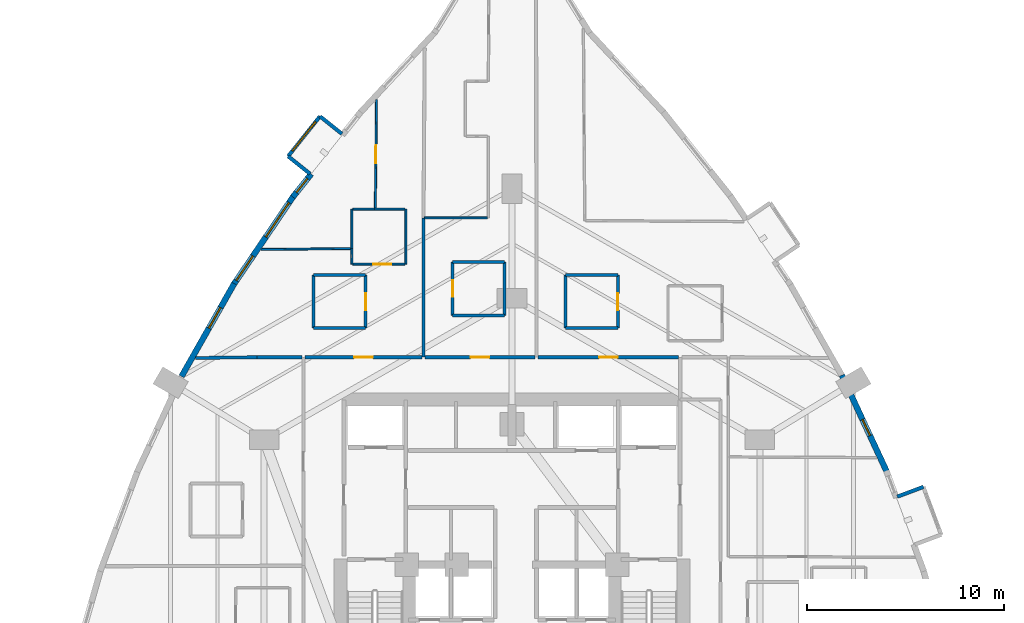
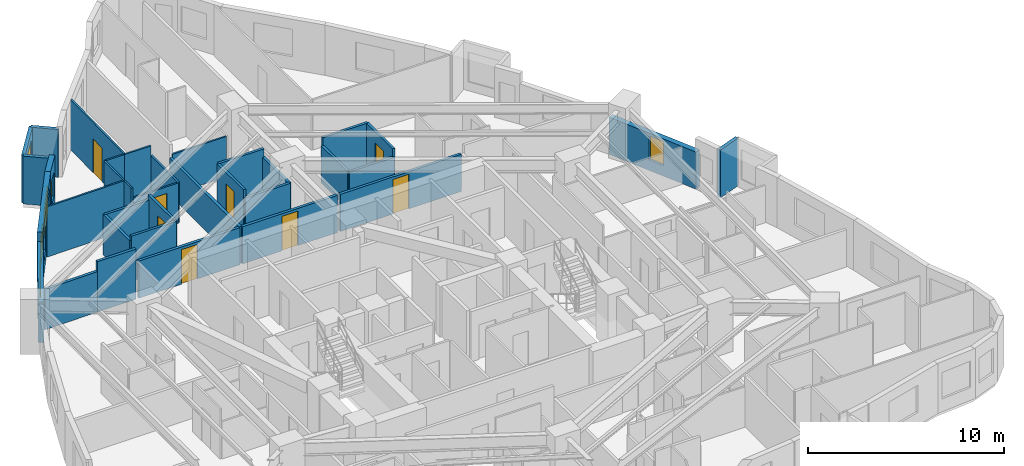
# One storey, part 13 of 16: 35 walls, 8 doors, 6 windows, 14 openings.
"""IFC4 building model written with IfcOpenShell, lengths in metres."""

import ifcopenshell
import ifcopenshell.guid

model = None  # the IFC model being written
_history = None  # IfcOwnerHistory: only IFC2X3 demands one
_inside = {}  # id of a spatial element -> (the spatial element, [elements in it])
_under = {}  # id of a project, library or spatial element -> (it, [spatial elements below it])
_declared = {}  # id of a project -> (the project, [libraries it declares])
_typed = {}  # id of a type object -> (the type object, [elements of that type])
_made_of = {}  # id of a material, layer set ... -> (it, [elements and type objects made of it])


def new_model(schema):
    """Start an empty IFC model of exactly this schema.

    Asked for "IFC4X3", IfcOpenShell would pick the latest addendum, in which some entities
    have other attributes; the version numbers below select the first issue.
    IFC2X3 requires an IfcOwnerHistory on every rooted entity: one is made here for all.
    """
    global model, _history
    if schema == "IFC4X3":
        model = ifcopenshell.file(schema_version=(4, 3, 0, 0))
    else:
        model = ifcopenshell.file(schema=schema)
    _inside.clear()
    _under.clear()
    _declared.clear()
    _typed.clear()
    _made_of.clear()
    _history = None
    if model.schema == "IFC2X3":
        org = make("IfcOrganization", Name="unknown")
        user = make(
            "IfcPersonAndOrganization",
            ThePerson=make("IfcPerson", FamilyName="unknown"),
            TheOrganization=org,
        )
        app = make(
            "IfcApplication",
            ApplicationDeveloper=org,
            Version="unknown",
            ApplicationFullName="unknown",
            ApplicationIdentifier="unknown",
        )
        _history = make(
            "IfcOwnerHistory",
            OwningUser=user,
            OwningApplication=app,
            ChangeAction="ADDED",
            CreationDate=0,
        )
    return model


def make(cls, **values):
    """One entity of the class cls with the attributes given. An attribute that is None is left unset."""
    return model.create_entity(
        cls, **{name: value for name, value in values.items() if value is not None}
    )


def rooted(cls, **values):
    """An entity with a GlobalId (a new one), such as an element, a storey or a relation."""
    return make(cls, GlobalId=ifcopenshell.guid.new(), OwnerHistory=_history, **values)


def si_unit(unit_type, name, prefix=None):
    """IfcSIUnit, for example si_unit("LENGTHUNIT", "METRE", prefix="MILLI")."""
    return make("IfcSIUnit", UnitType=unit_type, Prefix=prefix, Name=name)


def assignment(units):
    """IfcUnitAssignment: the units of a project."""
    return None if units is None else make("IfcUnitAssignment", Units=units)


def point(xyz):
    """IfcCartesianPoint."""
    return None if xyz is None else make("IfcCartesianPoint", Coordinates=xyz)


def direction(xyz):
    """IfcDirection."""
    return None if xyz is None else make("IfcDirection", DirectionRatios=xyz)


def frame(location, z_axis=None, x_axis=None):
    """IfcAxis2Placement3D, a coordinate frame: its origin and axes. An axis left out is left unset."""
    return make(
        "IfcAxis2Placement3D",
        Location=point(location),
        Axis=direction(z_axis),
        RefDirection=direction(x_axis),
    )


def frame_2d(location, x_axis=None):
    """IfcAxis2Placement2D, a coordinate frame in the plane: its origin and x axis."""
    return make(
        "IfcAxis2Placement2D", Location=point(location), RefDirection=direction(x_axis)
    )


def origin():
    """The frame at (0, 0, 0) with its axes left unset."""
    return frame((0.0, 0.0, 0.0))


def place(relative_to, where):
    """IfcLocalPlacement: puts the frame where relative to a parent placement (None: the world)."""
    return make(
        "IfcLocalPlacement", PlacementRelTo=relative_to, RelativePlacement=where
    )


def context(
    kind, dimensions, precision=None, world=None, true_north=None, identifier=None
):
    """IfcGeometricRepresentationContext, for example the 3D "Model" context."""
    return make(
        "IfcGeometricRepresentationContext",
        ContextIdentifier=identifier,
        ContextType=kind,
        CoordinateSpaceDimension=dimensions,
        Precision=precision,
        WorldCoordinateSystem=world,
        TrueNorth=true_north,
    )


def subcontext(parent, identifier, kind, view, scale=None):
    """IfcGeometricRepresentationSubContext, for example "Body" below "Model"."""
    return make(
        "IfcGeometricRepresentationSubContext",
        ContextIdentifier=identifier,
        ContextType=kind,
        ParentContext=parent,
        TargetScale=scale,
        TargetView=view,
    )


def project(units=None, contexts=None):
    """IfcProject with its units and contexts."""
    return rooted(
        "IfcProject",
        Name="project",
        RepresentationContexts=contexts,
        UnitsInContext=assignment(units),
    )


def spatial(cls, under=None, at=None, **own):
    """A site, building, storey or space (cls), placed at a placement, below another one or the project."""
    s = rooted(cls, ObjectPlacement=at, **own)
    if under is not None:
        _under.setdefault(under.id(), (under, []))[1].append(s)
    return s


def profile(cls, at=None, kind="AREA", **sizes):
    """A parametric profile (cls). Its sizes go by their IFC names, for example OverallWidth=200.0."""
    return make(cls, ProfileType=kind, Position=at, **sizes)


def rectangle(**sizes):
    """IfcRectangleProfileDef."""
    return profile("IfcRectangleProfileDef", **sizes)


def extrude(swept, where, along, depth):
    """IfcExtrudedAreaSolid: the profile swept, set in the frame where, extruded along a direction by depth."""
    return make(
        "IfcExtrudedAreaSolid",
        SweptArea=swept,
        Position=where,
        ExtrudedDirection=direction(along),
        Depth=depth,
    )


def shape(context_of_items, identifier, shape_type, items):
    """IfcShapeRepresentation: the items that make up one representation, for example the "Body"."""
    return make(
        "IfcShapeRepresentation",
        ContextOfItems=context_of_items,
        RepresentationIdentifier=identifier,
        RepresentationType=shape_type,
        Items=items,
    )


def material(Name=None, Category=None):
    """IfcMaterial."""
    return make("IfcMaterial", Name=Name, Category=Category)


def layer(
    of_material, thickness, ventilated=None, Name=None, Category=None, Priority=None
):
    """IfcMaterialLayer: one layer of a wall or slab, of a material (None: an air gap)."""
    return make(
        "IfcMaterialLayer",
        Material=of_material,
        LayerThickness=thickness,
        IsVentilated=ventilated,
        Name=Name,
        Category=Category,
        Priority=Priority,
    )


def layer_set(layers, Name=None):
    """IfcMaterialLayerSet."""
    return make("IfcMaterialLayerSet", MaterialLayers=layers, LayerSetName=Name)


def made_of(thing, what):
    """Note that an element or type object is made of a material, layer set ...; save() writes the relation."""
    if what is not None:
        _made_of.setdefault(what.id(), (what, []))[1].append(thing)
    return thing


def type_object(cls, material=None, **own):
    """A type object (cls), such as IfcWallType, which elements share."""
    return made_of(rooted(cls, **own), material)


def element(
    cls,
    number,
    at=None,
    inside=None,
    cuts=None,
    type_object=None,
    material=None,
    context=None,
    identifier="Body",
    shape_type=None,
    held_by="IfcProductDefinitionShape",
    body=None,
    shapes=None,
    **own,
):
    """One element of the class cls, such as IfcWall. Its Tag is "e" and its number.

    at: its placement. inside: the storey or other place that contains it. cuts: it is an
    opening in that element (IfcRelVoidsElement). A single representation is given by context,
    identifier, shape_type and body (its items); several are given by shapes. held_by: the class
    of the entity that holds the representations. save() writes the other relations.
    """
    e = rooted(cls, Tag="e%d" % number, ObjectPlacement=at, **own)
    if body is not None:
        shapes = [shape(context, identifier, shape_type, body)]
    if shapes is not None:
        e.Representation = make(held_by, Representations=shapes)
    if inside is not None:
        _inside.setdefault(inside.id(), (inside, []))[1].append(e)
    if cuts is not None:
        rooted(
            "IfcRelVoidsElement", RelatingBuildingElement=cuts, RelatedOpeningElement=e
        )
    if type_object is not None:
        _typed.setdefault(type_object.id(), (type_object, []))[1].append(e)
    return made_of(e, material)


def fill(opening, filler):
    """IfcRelFillsElement: the door or window that sits in an opening."""
    return rooted(
        "IfcRelFillsElement",
        RelatingOpeningElement=opening,
        RelatedBuildingElement=filler,
    )


def aggregate(whole, parts):
    """IfcRelAggregates: a whole, such as a stair, and the parts it consists of."""
    return rooted("IfcRelAggregates", RelatingObject=whole, RelatedObjects=parts)


def save(model, path):
    """Write the relations noted so far, then the file.

    IfcRelAggregates (storeys below a building ...), IfcRelContainedInSpatialStructure (elements
    in a storey), IfcRelDefinesByType, IfcRelAssociatesMaterial and IfcRelDeclares: one each for
    every whole, place, type object, material and project.
    """
    for whole, parts in _under.values():
        aggregate(whole, parts)
    for where, things in _inside.values():
        rooted(
            "IfcRelContainedInSpatialStructure",
            RelatedElements=things,
            RelatingStructure=where,
        )
    for kind, things in _typed.values():
        rooted("IfcRelDefinesByType", RelatedObjects=things, RelatingType=kind)
    for what, things in _made_of.values():
        rooted("IfcRelAssociatesMaterial", RelatedObjects=things, RelatingMaterial=what)
    for by, libraries in _declared.values():
        rooted("IfcRelDeclares", RelatingContext=by, RelatedDefinitions=libraries)
    model.write(path)


model = new_model("IFC4")

# Units and contexts
model_context = context("Model", 3, precision=1e-05, world=origin(), true_north=direction((0.0, 1.0)))
body_context = subcontext(model_context, "Body", "Model", "MODEL_VIEW")
ifc_project = project(units=[si_unit("LENGTHUNIT", "METRE"), si_unit("AREAUNIT", "SQUARE_METRE"), si_unit("VOLUMEUNIT", "CUBIC_METRE"), si_unit("PLANEANGLEUNIT", "RADIAN"), si_unit("MASSUNIT", "GRAM", prefix="KILO")], contexts=[model_context])

# Site, building, storey
site_placement = place(None, origin())
site = spatial("IfcSite", under=ifc_project, at=site_placement, CompositionType="ELEMENT")
building_placement = place(site_placement, origin())
building = spatial("IfcBuilding", under=site, at=building_placement, Name="Miruveldt Soraemaru", CompositionType="ELEMENT")
storey_placement = place(building_placement, frame((0.0, 0.0, 42.800048828125)))
storey = spatial("IfcBuildingStorey", under=building, at=storey_placement, Name="L11", CompositionType="ELEMENT", Elevation=42.800048828125)

# Walls
ifc_material_1 = material(Name="White powder-coated aluminium EN AW-6060 T6", Category="aluminium")
ifc_layer_1 = layer(ifc_material_1, 0.18994140625, Name="White powder-coated aluminium EN AW-6060 T6", Category="aluminium")
ifc_layer_set_1 = layer_set([ifc_layer_1], Name="White powder-coated aluminium EN AW-6060 T6")
wall_type_1 = type_object("IfcWallType", Name="WALL-BAY-ALU190", PredefinedType="SOLIDWALL", material=ifc_layer_set_1)
for number, where, z_axis, x_axis, name in (
    (1, (35.350341796875, 65.957275390625, 0.0), (0.0, 0.0, 1.0), (-0.781737193764, 0.623608017817, 0.0), "L11 Bay Window Side Cheek 6L"),
    (2, (32.614990234375, 64.8134765625, 0.0), (0.0, 0.0, 1.0), (0.781737193764, -0.623608017817, 0.0), "L11 Bay Window Side Cheek 6R"),
):
    element("IfcWall", number, at=place(storey_placement, frame(where, z_axis=z_axis, x_axis=x_axis)), inside=storey, type_object=wall_type_1, Name=name, PredefinedType="SOLIDWALL", context=body_context, shape_type="SweptSolid", body=[
        extrude(rectangle(XDim=1.425048828125, YDim=0.18994140625, at=frame_2d((0.71240234375, 0.0))), origin(), (0.0, 0.0, 1.0), 2.974853515625),
    ])

# Wall, opening, window
wall_1_placement = place(storey_placement, frame((34.236328125, 66.845947265625, 0.0), z_axis=(0.0, 0.0, 1.0), x_axis=(-0.623606546405, -0.781738367538, 0.0)))
wall_1 = element("IfcWall", 3, at=wall_1_placement, inside=storey, type_object=wall_type_1, Name="L11 Bay Window Front Frame 6", PredefinedType="SOLIDWALL", context=body_context, shape_type="SweptSolid", body=[
    extrude(rectangle(XDim=2.599853515625, YDim=0.18994140625, at=frame_2d((1.2998046875, 0.0))), origin(), (0.0, 0.0, 1.0), 2.974853515625),
])
opening_1_placement = place(wall_1_placement, frame((0.35009765625, 0.0, 0.550048828125)))
opening_1 = element("IfcOpeningElement", 4, at=opening_1_placement, cuts=wall_1, Name="Opening WN-6", PredefinedType="OPENING", context=body_context, shape_type="SweptSolid", body=[
    extrude(rectangle(XDim=1.89990234375, YDim=1.85009765625, at=frame_2d((0.949951171875, 0.925048828125))), frame((0.0, 0.10498046875, 0.0), z_axis=(0.0, -1.0, 0.0), x_axis=(1.0, 0.0, 0.0)), (0.0, 0.0, 1.0), 0.2099609375),
])
ifc_material_2 = material(Name="Triple low-e insulated glazing", Category="glass")
window_type_1 = type_object("IfcWindowType", Name="WIN-BAYW-1900x1850", PartitioningType="SINGLE_PANEL", PredefinedType="WINDOW", material=ifc_material_2)
window_1_placement = place(opening_1_placement, origin())
window_1 = element("IfcWindow", 5, at=window_1_placement, inside=storey, type_object=window_type_1, Name="L11 Projecting Bay Window 6", OverallHeight=1.85009765625, OverallWidth=1.89990234375, PartitioningType="SINGLE_PANEL", PredefinedType="WINDOW", context=body_context, shape_type="SweptSolid", body=[
    extrude(rectangle(XDim=1.89990234375, YDim=1.85009765625, at=frame_2d((0.949951171875, 0.925048828125))), frame((0.0, 0.030029296875, 0.0), z_axis=(0.0, -1.0, 0.0), x_axis=(1.0, 0.0, 0.0)), (0.0, 0.0, 1.0), 0.06005859375),
])
fill(opening_1, window_1)

# Wall
wall_2_placement = place(storey_placement, frame((64.918701171875, 48.0087890625, 0.0), z_axis=(0.0, 0.0, 1.0), x_axis=(-0.937108491365, -0.349038214831, 0.0)))
element("IfcWall", 6, at=wall_2_placement, inside=storey, type_object=wall_type_1, Name="L11 Bay Window Side Cheek 4R", PredefinedType="SOLIDWALL", context=body_context, shape_type="SweptSolid", body=[
    extrude(rectangle(XDim=1.4248046875, YDim=0.18994140625, at=frame_2d((0.71240234375, 0.0))), origin(), (0.0, 0.0, 1.0), 2.974853515625),
])

# Wall, opening, window
ifc_material_3 = material(Name="Precast concrete C45/55 (45 MPa)", Category="concrete")
ifc_layer_2 = layer(ifc_material_3, 0.300048828125, Name="Precast concrete C45/55 (45 MPa)", Category="concrete")
ifc_layer_set_2 = layer_set([ifc_layer_2], Name="Precast concrete C45/55 (45 MPa)")
wall_type_2 = type_object("IfcWallType", Name="WALL-EXT-PC300", PredefinedType="SOLIDWALL", material=ifc_layer_set_2)
wall_3_placement = place(storey_placement, frame((33.79052734375, 63.9140625, 0.0), z_axis=(0.0, 0.0, 1.0), x_axis=(-0.623458304624, -0.781856599637, 0.0)))
wall_3 = element("IfcWall", 7, at=wall_3_placement, inside=storey, type_object=wall_type_2, Name="L11 Precast Pier Wall 8B", PredefinedType="SOLIDWALL", context=body_context, shape_type="SweptSolid", body=[
    extrude(rectangle(XDim=1.493408203125, YDim=0.300048828125, at=frame_2d((0.74658203125, 0.0))), origin(), (0.0, 0.0, 1.0), 3.125),
])
opening_2_placement = place(wall_3_placement, frame((0.297119140625, 0.0, 0.780029296875)))
opening_2 = element("IfcOpeningElement", 8, at=opening_2_placement, cuts=wall_3, Name="Opening WN-7", PredefinedType="OPENING", context=body_context, shape_type="SweptSolid", body=[
    extrude(rectangle(XDim=0.89990234375, YDim=1.5, at=frame_2d((0.449951171875, 0.75))), frame((0.0, 0.16015625, 0.0), z_axis=(0.0, -1.0, 0.0), x_axis=(1.0, 0.0, 0.0)), (0.0, 0.0, 1.0), 0.320068359375),
])
window_type_2 = type_object("IfcWindowType", Name="WIN-PUNCH-900x1500", PartitioningType="SINGLE_PANEL", PredefinedType="WINDOW", material=ifc_material_2)
window_2_placement = place(opening_2_placement, origin())
window_2 = element("IfcWindow", 9, at=window_2_placement, inside=storey, type_object=window_type_2, Name="L11 Punched Triple-Glazed Window 08B.1", OverallHeight=1.5, OverallWidth=0.89990234375, PartitioningType="SINGLE_PANEL", PredefinedType="WINDOW", context=body_context, shape_type="SweptSolid", body=[
    extrude(rectangle(XDim=0.89990234375, YDim=1.5, at=frame_2d((0.449951171875, 0.75))), frame((0.0, 0.030029296875, 0.0), z_axis=(0.0, -1.0, 0.0), x_axis=(1.0, 0.0, 0.0)), (0.0, 0.0, 1.0), 0.06005859375),
])
fill(opening_2, window_2)

# Wall, openings, windows
wall_4_placement = place(storey_placement, frame((32.900634765625, 62.802734375, 0.0), z_axis=(0.0, 0.0, 1.0), x_axis=(-0.560794747374, -0.827954860676, 0.0)))
wall_4 = element("IfcWall", 10, at=wall_4_placement, inside=storey, type_object=wall_type_2, Name="L11 Precast Concrete Facade Wall 9", PredefinedType="SOLIDWALL", context=body_context, shape_type="SweptSolid", body=[
    extrude(rectangle(XDim=5.459228515625, YDim=0.300048828125, at=frame_2d((2.7294921875, 0.0))), origin(), (0.0, 0.0, 1.0), 3.125),
])
opening_3_placement = place(wall_4_placement, frame((0.4208984375, 0.0, 0.800048828125)))
opening_3 = element("IfcOpeningElement", 11, at=opening_3_placement, cuts=wall_4, Name="Opening WN-1", PredefinedType="OPENING", context=body_context, shape_type="SweptSolid", body=[
    extrude(rectangle(XDim=2.10009765625, YDim=1.699951171875, at=frame_2d((1.050048828125, 0.85009765625))), frame((0.0, 0.16015625, 0.0), z_axis=(0.0, -1.0, 0.0), x_axis=(1.0, 0.0, 0.0)), (0.0, 0.0, 1.0), 0.320068359375),
])
opening_4_placement = place(wall_4_placement, frame((3.69091796875, 0.0, 0.800048828125)))
opening_4 = element("IfcOpeningElement", 12, at=opening_4_placement, cuts=wall_4, Name="Opening WN-3", PredefinedType="OPENING", context=body_context, shape_type="SweptSolid", body=[
    extrude(rectangle(XDim=1.5, YDim=1.60009765625, at=frame_2d((0.75, 0.800048828125))), frame((0.0, 0.16015625, 0.0), z_axis=(0.0, -1.0, 0.0), x_axis=(1.0, 0.0, 0.0)), (0.0, 0.0, 1.0), 0.320068359375),
])
window_type_3 = type_object("IfcWindowType", Name="WIN-PUNCH-1500x1600", PartitioningType="SINGLE_PANEL", PredefinedType="WINDOW", material=ifc_material_2)
window_3_placement = place(opening_4_placement, origin())
window_3 = element("IfcWindow", 13, at=window_3_placement, inside=storey, type_object=window_type_3, Name="L11 Punched Triple-Glazed Window 09.2", OverallHeight=1.60009765625, OverallWidth=1.5, PartitioningType="SINGLE_PANEL", PredefinedType="WINDOW", context=body_context, shape_type="SweptSolid", body=[
    extrude(rectangle(XDim=1.5, YDim=1.60009765625, at=frame_2d((0.75, 0.800048828125))), frame((0.0, 0.030029296875, 0.0), z_axis=(0.0, -1.0, 0.0), x_axis=(1.0, 0.0, 0.0)), (0.0, 0.0, 1.0), 0.06005859375),
])
fill(opening_4, window_3)
window_type_4 = type_object("IfcWindowType", Name="WIN-PUNCH-2100x1700", PartitioningType="SINGLE_PANEL", PredefinedType="WINDOW", material=ifc_material_2)
window_4_placement = place(opening_3_placement, origin())
window_4 = element("IfcWindow", 14, at=window_4_placement, inside=storey, type_object=window_type_4, Name="L11 Punched Triple-Glazed Window 09.1", OverallHeight=1.699951171875, OverallWidth=2.10009765625, PartitioningType="SINGLE_PANEL", PredefinedType="WINDOW", context=body_context, shape_type="SweptSolid", body=[
    extrude(rectangle(XDim=2.10009765625, YDim=1.699951171875, at=frame_2d((1.050048828125, 0.85009765625))), frame((0.0, 0.030029296875, 0.0), z_axis=(0.0, -1.0, 0.0), x_axis=(1.0, 0.0, 0.0)), (0.0, 0.0, 1.0), 0.06005859375),
])
fill(opening_3, window_4)

# Wall, opening, window
wall_5_placement = place(storey_placement, frame((29.8759765625, 58.34228515625, 0.0), z_axis=(0.0, 0.0, 1.0), x_axis=(-0.493383808339, -0.869811713918, 0.0)))
wall_5 = element("IfcWall", 15, at=wall_5_placement, inside=storey, type_object=wall_type_2, Name="L11 Precast Concrete Facade Wall 10", PredefinedType="SOLIDWALL", context=body_context, shape_type="SweptSolid", body=[
    extrude(rectangle(XDim=5.42529296875, YDim=0.300048828125, at=frame_2d((2.712646484375, 0.0))), origin(), (0.0, 0.0, 1.0), 2.512939453125),
])
opening_5_placement = place(wall_5_placement, frame((1.407958984375, 0.0, 0.780029296875)))
opening_5 = element("IfcOpeningElement", 16, at=opening_5_placement, cuts=wall_5, Name="Opening WN-4", PredefinedType="OPENING", context=body_context, shape_type="SweptSolid", body=[
    extrude(rectangle(XDim=1.199951171875, YDim=1.550048828125, at=frame_2d((0.60009765625, 0.77490234375))), frame((0.0, 0.16015625, 0.0), z_axis=(0.0, -1.0, 0.0), x_axis=(1.0, 0.0, 0.0)), (0.0, 0.0, 1.0), 0.320068359375),
])
window_type_5 = type_object("IfcWindowType", Name="WIN-PUNCH-1200x1550", PartitioningType="SINGLE_PANEL", PredefinedType="WINDOW", material=ifc_material_2)
window_5_placement = place(opening_5_placement, origin())
window_5 = element("IfcWindow", 17, at=window_5_placement, inside=storey, type_object=window_type_5, Name="L11 Punched Triple-Glazed Window 10.1", OverallHeight=1.550048828125, OverallWidth=1.199951171875, PartitioningType="SINGLE_PANEL", PredefinedType="WINDOW", context=body_context, shape_type="SweptSolid", body=[
    extrude(rectangle(XDim=1.199951171875, YDim=1.550048828125, at=frame_2d((0.60009765625, 0.77490234375))), frame((0.0, 0.030029296875, 0.0), z_axis=(0.0, -1.0, 0.0), x_axis=(1.0, 0.0, 0.0)), (0.0, 0.0, 1.0), 0.06005859375),
])
fill(opening_5, window_5)

wall_6_placement = place(storey_placement, frame((63.059814453125, 48.767578125, 0.0), z_axis=(0.0, 0.0, 1.0), x_axis=(-0.4222916538, 0.906460015186, 0.0)))
wall_6 = element("IfcWall", 18, at=wall_6_placement, inside=storey, type_object=wall_type_2, Name="L11 Precast Concrete Facade Wall 38", PredefinedType="SOLIDWALL", context=body_context, shape_type="SweptSolid", body=[
    extrude(rectangle(XDim=5.42529296875, YDim=0.300048828125, at=frame_2d((2.712646484375, 0.0))), origin(), (0.0, 0.0, 1.0), 2.31298828125),
])
opening_6_placement = place(wall_6_placement, frame((2.0380859375, 0.0, 0.653076171875)))
opening_6 = element("IfcOpeningElement", 19, at=opening_6_placement, cuts=wall_6, Name="Opening WN-7", PredefinedType="OPENING", context=body_context, shape_type="SweptSolid", body=[
    extrude(rectangle(XDim=0.89990234375, YDim=1.5, at=frame_2d((0.449951171875, 0.75))), frame((0.0, 0.16015625, 0.0), z_axis=(0.0, -1.0, 0.0), x_axis=(1.0, 0.0, 0.0)), (0.0, 0.0, 1.0), 0.320068359375),
])
window_6_placement = place(opening_6_placement, origin())
window_6 = element("IfcWindow", 20, at=window_6_placement, inside=storey, type_object=window_type_2, Name="L11 Punched Triple-Glazed Window 38.1", OverallHeight=1.5, OverallWidth=0.89990234375, PartitioningType="SINGLE_PANEL", PredefinedType="WINDOW", context=body_context, shape_type="SweptSolid", body=[
    extrude(rectangle(XDim=0.89990234375, YDim=1.5, at=frame_2d((0.449951171875, 0.75))), frame((0.0, 0.030029296875, 0.0), z_axis=(0.0, -1.0, 0.0), x_axis=(1.0, 0.0, 0.0)), (0.0, 0.0, 1.0), 0.06005859375),
])
fill(opening_6, window_6)

# Wall, opening, door
ifc_material_4 = material(Name="Gypsum plasterboard lining", Category="gypsum")
ifc_layer_3 = layer(ifc_material_4, 0.10009765625, Name="Gypsum plasterboard lining", Category="gypsum")
ifc_layer_set_3 = layer_set([ifc_layer_3], Name="Gypsum plasterboard lining")
wall_type_3 = type_object("IfcWallType", Name="WALL-INT-P100", PredefinedType="PARTITIONING", material=ifc_layer_set_3)
wall_7_placement = place(storey_placement, frame((37.112060546875, 67.68798828125, 0.0), z_axis=(0.0, 0.0, 1.0), x_axis=(-0.011156294154, -0.999937766614, 0.0)))
wall_7 = element("IfcWall", 21, at=wall_7_placement, inside=storey, type_object=wall_type_3, Name="L11 Partition Wall 21", PredefinedType="PARTITIONING", context=body_context, shape_type="SweptSolid", body=[
    extrude(rectangle(XDim=5.558349609375, YDim=0.10009765625, at=frame_2d((2.779296875, 0.0))), origin(), (0.0, 0.0, 1.0), 3.125),
])
opening_7_placement = place(wall_7_placement, frame((2.319091796875, 0.0, 0.0)))
opening_7 = element("IfcOpeningElement", 22, at=opening_7_placement, cuts=wall_7, Name="Opening D3A", PredefinedType="OPENING", context=body_context, shape_type="SweptSolid", body=[
    extrude(rectangle(XDim=0.919921875, YDim=2.10009765625, at=frame_2d((0.4599609375, 1.050048828125))), frame((0.0, 0.06005859375, 0.0), z_axis=(0.0, -1.0, 0.0), x_axis=(1.0, 0.0, 0.0)), (0.0, 0.0, 1.0), 0.1201171875),
])
ifc_material_5 = material(Name="Anodised aluminium EN AW-6063 T6", Category="aluminium")
door_type_1 = type_object("IfcDoorType", Name="DOOR-INT-920", OperationType="NOTDEFINED", PredefinedType="DOOR", material=ifc_material_5)
door_1_placement = place(opening_7_placement, origin())
door_1 = element("IfcDoor", 23, at=door_1_placement, inside=storey, type_object=door_type_1, Name="L11 Unit 1101 BD1 Door", OperationType="SINGLE_SWING_LEFT", OverallHeight=2.10009765625, OverallWidth=0.919921875, PredefinedType="DOOR", context=body_context, shape_type="SweptSolid", body=[
    extrude(rectangle(XDim=0.919921875, YDim=2.10009765625, at=frame_2d((0.4599609375, 1.050048828125))), frame((0.0, 0.02490234375, 0.0), z_axis=(0.0, -1.0, 0.0), x_axis=(1.0, 0.0, 0.0)), (0.0, 0.0, 1.0), 0.050048828125),
])
fill(opening_7, door_1)

wall_8_placement = place(storey_placement, frame((35.905029296875, 59.330078125, 0.0), z_axis=(0.0, 0.0, 1.0), x_axis=(1.0, 0.0, 0.0)))
wall_8 = element("IfcWall", 24, at=wall_8_placement, inside=storey, type_object=wall_type_3, Name="L11 Partition Wall 20", PredefinedType="PARTITIONING", context=body_context, shape_type="SweptSolid", body=[
    extrude(rectangle(XDim=2.64990234375, YDim=0.10009765625, at=frame_2d((1.324951171875, 0.0))), origin(), (0.0, 0.0, 1.0), 2.512939453125),
])
opening_8_placement = place(wall_8_placement, frame((1.044921875, 0.0, 0.0)))
opening_8 = element("IfcOpeningElement", 25, at=opening_8_placement, cuts=wall_8, Name="Opening D3A", PredefinedType="OPENING", context=body_context, shape_type="SweptSolid", body=[
    extrude(rectangle(XDim=0.919921875, YDim=2.10009765625, at=frame_2d((0.4599609375, 1.050048828125))), frame((0.0, 0.06005859375, 0.0), z_axis=(0.0, -1.0, 0.0), x_axis=(1.0, 0.0, 0.0)), (0.0, 0.0, 1.0), 0.1201171875),
])
door_2_placement = place(opening_8_placement, origin())
door_2 = element("IfcDoor", 26, at=door_2_placement, inside=storey, type_object=door_type_1, Name="L11 Unit 1101 KIT Door", OperationType="SINGLE_SWING_RIGHT", OverallHeight=2.10009765625, OverallWidth=0.919921875, PredefinedType="DOOR", context=body_context, shape_type="SweptSolid", body=[
    extrude(rectangle(XDim=0.919921875, YDim=2.10009765625, at=frame_2d((0.4599609375, 1.050048828125))), frame((0.0, 0.02490234375, 0.0), z_axis=(0.0, -1.0, 0.0), x_axis=(1.0, 0.0, 0.0)), (0.0, 0.0, 1.0), 0.050048828125),
])
fill(opening_8, door_2)

# Walls
wall_9_placement = place(storey_placement, frame((35.804931640625, 60.1220703125, 0.0), z_axis=(0.0, 0.0, 1.0), x_axis=(-0.999946452569, -0.010348526213, 0.0)))
element("IfcWall", 27, at=wall_9_placement, inside=storey, type_object=wall_type_3, Name="L11 Partition Wall 22", PredefinedType="PARTITIONING", context=body_context, shape_type="SweptSolid", body=[
    extrude(rectangle(XDim=4.55322265625, YDim=0.10009765625, at=frame_2d((2.276611328125, 0.0))), origin(), (0.0, 0.0, 1.0), 3.125),
])
wall_10_placement = place(storey_placement, frame((42.75, 61.68408203125, 0.0), z_axis=(0.0, 0.0, 1.0), x_axis=(-1.0, 0.0, 0.0)))
element("IfcWall", 28, at=wall_10_placement, inside=storey, type_object=wall_type_3, Name="L11 Partition Wall 38", PredefinedType="PARTITIONING", context=body_context, shape_type="SweptSolid", body=[
    extrude(rectangle(XDim=3.199951171875, YDim=0.10009765625, at=frame_2d((1.60009765625, 0.0))), origin(), (0.0, 0.0, 1.0), 2.512939453125),
])
wall_11_placement = place(storey_placement, frame((38.60498046875, 59.330078125, 0.0), z_axis=(0.0, 0.0, 1.0), x_axis=(0.0, 1.0, 0.0)))
element("IfcWall", 29, at=wall_11_placement, inside=storey, type_object=wall_type_3, Name="L11 Partition Wall 17", PredefinedType="PARTITIONING", context=body_context, shape_type="SweptSolid", body=[
    extrude(rectangle(XDim=2.7998046875, YDim=0.10009765625, at=frame_2d((1.39990234375, 0.0))), origin(), (0.0, 0.0, 1.0), 2.512939453125),
])
wall_12_placement = place(storey_placement, frame((35.85498046875, 62.1298828125, 0.0), z_axis=(0.0, 0.0, 1.0), x_axis=(0.0, -1.0, 0.0)))
element("IfcWall", 30, at=wall_12_placement, inside=storey, type_object=wall_type_3, Name="L11 Partition Wall 28", PredefinedType="PARTITIONING", context=body_context, shape_type="SweptSolid", body=[
    extrude(rectangle(XDim=2.0068359375, YDim=0.10009765625, at=frame_2d((1.00341796875, 0.0))), origin(), (0.0, 0.0, 1.0), 3.125),
])
wall_13_placement = place(storey_placement, frame((38.554931640625, 62.1298828125, 0.0), z_axis=(0.0, 0.0, 1.0), x_axis=(-1.0, 0.0, 0.0)))
element("IfcWall", 31, at=wall_13_placement, inside=storey, type_object=wall_type_3, Name="L11 Partition Wall 18", PredefinedType="PARTITIONING", context=body_context, shape_type="SweptSolid", body=[
    extrude(rectangle(XDim=1.544921875, YDim=0.10009765625, at=frame_2d((0.7724609375, 0.0))), origin(), (0.0, 0.0, 1.0), 3.125),
])
wall_14_placement = place(storey_placement, frame((37.0, 62.1298828125, 0.0), z_axis=(0.0, 0.0, 1.0), x_axis=(-1.0, 0.0, 0.0)))
element("IfcWall", 32, at=wall_14_placement, inside=storey, type_object=wall_type_3, Name="L11 Partition Wall 27", PredefinedType="PARTITIONING", context=body_context, shape_type="SweptSolid", body=[
    extrude(rectangle(XDim=1.094970703125, YDim=0.10009765625, at=frame_2d((0.54736328125, 0.0))), origin(), (0.0, 0.0, 1.0), 3.125),
])
wall_15_placement = place(storey_placement, frame((35.85498046875, 60.123046875, 0.0), z_axis=(0.0, 0.0, 1.0), x_axis=(0.0, -1.0, 0.0)))
element("IfcWall", 33, at=wall_15_placement, inside=storey, type_object=wall_type_3, Name="L11 Partition Wall 19", PredefinedType="PARTITIONING", context=body_context, shape_type="SweptSolid", body=[
    extrude(rectangle(XDim=0.79296875, YDim=0.10009765625, at=frame_2d((0.396484375, 0.0))), origin(), (0.0, 0.0, 1.0), 3.125),
])

# Wall, opening, door
ifc_layer_4 = layer(ifc_material_4, 0.14990234375, Name="Gypsum plasterboard lining", Category="gypsum")
ifc_layer_set_4 = layer_set([ifc_layer_4], Name="Gypsum plasterboard lining")
wall_type_4 = type_object("IfcWallType", Name="WALL-INT-PLUMB", PredefinedType="PLUMBINGWALL", material=ifc_layer_set_4)
wall_16_placement = place(storey_placement, frame((36.554931640625, 56.080078125, 0.0), z_axis=(0.0, 0.0, 1.0), x_axis=(0.0, 1.0, 0.0)))
wall_16 = element("IfcWall", 34, at=wall_16_placement, inside=storey, type_object=wall_type_4, Name="L11 Partition Wall 13", PredefinedType="PLUMBINGWALL", context=body_context, shape_type="SweptSolid", body=[
    extrude(rectangle(XDim=2.699951171875, YDim=0.14990234375, at=frame_2d((1.35009765625, 0.0))), origin(), (0.0, 0.0, 1.0), 2.81298828125),
])
opening_9_placement = place(wall_16_placement, frame((0.909912109375, 0.0, 0.0)))
opening_9 = element("IfcOpeningElement", 35, at=opening_9_placement, cuts=wall_16, Name="Opening FD3", PredefinedType="OPENING", context=body_context, shape_type="SweptSolid", body=[
    extrude(rectangle(XDim=0.85009765625, YDim=2.10009765625, at=frame_2d((0.425048828125, 1.050048828125))), frame((0.0, 0.0849609375, 0.0), z_axis=(0.0, -1.0, 0.0), x_axis=(1.0, 0.0, 0.0)), (0.0, 0.0, 1.0), 0.169921875),
])
door_type_2 = type_object("IfcDoorType", Name="DOOR-FD3-850", OperationType="NOTDEFINED", PredefinedType="DOOR", material=ifc_material_5)
door_3_placement = place(opening_9_placement, origin())
door_3 = element("IfcDoor", 36, at=door_3_placement, inside=storey, type_object=door_type_2, Name="L11 Unit 1101 BTH Door", OperationType="SINGLE_SWING_LEFT", OverallHeight=2.10009765625, OverallWidth=0.85009765625, PredefinedType="DOOR", context=body_context, shape_type="SweptSolid", body=[
    extrude(rectangle(XDim=0.85009765625, YDim=2.10009765625, at=frame_2d((0.425048828125, 1.050048828125))), frame((0.0, 0.02490234375, 0.0), z_axis=(0.0, -1.0, 0.0), x_axis=(1.0, 0.0, 0.0)), (0.0, 0.0, 1.0), 0.050048828125),
])
fill(opening_9, door_3)

wall_17_placement = place(storey_placement, frame((40.97998046875, 59.429931640625, 0.0), z_axis=(0.0, 0.0, 1.0), x_axis=(0.0, -1.0, 0.0)))
wall_17 = element("IfcWall", 37, at=wall_17_placement, inside=storey, type_object=wall_type_4, Name="L11 Partition Wall 31", PredefinedType="PLUMBINGWALL", context=body_context, shape_type="SweptSolid", body=[
    extrude(rectangle(XDim=2.699951171875, YDim=0.14990234375, at=frame_2d((1.35009765625, 0.0))), origin(), (0.0, 0.0, 1.0), 2.81298828125),
])
opening_10_placement = place(wall_17_placement, frame((0.909912109375, 0.0, 0.0)))
opening_10 = element("IfcOpeningElement", 38, at=opening_10_placement, cuts=wall_17, Name="Opening FD3", PredefinedType="OPENING", context=body_context, shape_type="SweptSolid", body=[
    extrude(rectangle(XDim=0.85009765625, YDim=2.10009765625, at=frame_2d((0.425048828125, 1.050048828125))), frame((0.0, 0.0849609375, 0.0), z_axis=(0.0, -1.0, 0.0), x_axis=(1.0, 0.0, 0.0)), (0.0, 0.0, 1.0), 0.169921875),
])
door_4_placement = place(opening_10_placement, origin())
door_4 = element("IfcDoor", 39, at=door_4_placement, inside=storey, type_object=door_type_2, Name="L11 Unit 1102 BTH Door", OperationType="SINGLE_SWING_LEFT", OverallHeight=2.10009765625, OverallWidth=0.85009765625, PredefinedType="DOOR", context=body_context, shape_type="SweptSolid", body=[
    extrude(rectangle(XDim=0.85009765625, YDim=2.10009765625, at=frame_2d((0.425048828125, 1.050048828125))), frame((0.0, 0.02490234375, 0.0), z_axis=(0.0, -1.0, 0.0), x_axis=(1.0, 0.0, 0.0)), (0.0, 0.0, 1.0), 0.050048828125),
])
fill(opening_10, door_4)

wall_18_placement = place(storey_placement, frame((49.3798828125, 56.080078125, 0.0), z_axis=(0.0, 0.0, 1.0), x_axis=(0.0, 1.0, 0.0)))
wall_18 = element("IfcWall", 40, at=wall_18_placement, inside=storey, type_object=wall_type_4, Name="L11 Partition Wall 40", PredefinedType="PLUMBINGWALL", context=body_context, shape_type="SweptSolid", body=[
    extrude(rectangle(XDim=2.699951171875, YDim=0.14990234375, at=frame_2d((1.35009765625, 0.0))), origin(), (0.0, 0.0, 1.0), 2.81298828125),
])
opening_11_placement = place(wall_18_placement, frame((0.909912109375, 0.0, 0.0)))
opening_11 = element("IfcOpeningElement", 41, at=opening_11_placement, cuts=wall_18, Name="Opening FD3", PredefinedType="OPENING", context=body_context, shape_type="SweptSolid", body=[
    extrude(rectangle(XDim=0.85009765625, YDim=2.10009765625, at=frame_2d((0.425048828125, 1.050048828125))), frame((0.0, 0.0849609375, 0.0), z_axis=(0.0, -1.0, 0.0), x_axis=(1.0, 0.0, 0.0)), (0.0, 0.0, 1.0), 0.169921875),
])
door_5_placement = place(opening_11_placement, origin())
door_5 = element("IfcDoor", 42, at=door_5_placement, inside=storey, type_object=door_type_2, Name="L11 Unit 1103 BTH Door", OperationType="SINGLE_SWING_RIGHT", OverallHeight=2.10009765625, OverallWidth=0.85009765625, PredefinedType="DOOR", context=body_context, shape_type="SweptSolid", body=[
    extrude(rectangle(XDim=0.85009765625, YDim=2.10009765625, at=frame_2d((0.425048828125, 1.050048828125))), frame((0.0, 0.02490234375, 0.0), z_axis=(0.0, -1.0, 0.0), x_axis=(1.0, 0.0, 0.0)), (0.0, 0.0, 1.0), 0.050048828125),
])
fill(opening_11, door_5)

# Walls
wall_19_placement = place(storey_placement, frame((33.905029296875, 58.780029296875, 0.0), z_axis=(0.0, 0.0, 1.0), x_axis=(0.0, -1.0, 0.0)))
element("IfcWall", 43, at=wall_19_placement, inside=storey, type_object=wall_type_4, Name="L11 Partition Wall 15", PredefinedType="PLUMBINGWALL", context=body_context, shape_type="SweptSolid", body=[
    extrude(rectangle(XDim=2.699951171875, YDim=0.14990234375, at=frame_2d((1.35009765625, 0.0))), origin(), (0.0, 0.0, 1.0), 2.512939453125),
])
for number, where, z_axis, x_axis, name in (
    (44, (43.6298828125, 56.72998046875, 0.0), (0.0, 0.0, 1.0), (0.0, 1.0, 0.0), "L11 Partition Wall 29"),
    (45, (46.72998046875, 58.780029296875, 0.0), (0.0, 0.0, 1.0), (0.0, -1.0, 0.0), "L11 Partition Wall 42"),
):
    element("IfcWall", number, at=place(storey_placement, frame(where, z_axis=z_axis, x_axis=x_axis)), inside=storey, type_object=wall_type_4, Name=name, PredefinedType="PLUMBINGWALL", context=body_context, shape_type="SweptSolid", body=[
        extrude(rectangle(XDim=2.699951171875, YDim=0.14990234375, at=frame_2d((1.35009765625, 0.0))), origin(), (0.0, 0.0, 1.0), 2.31298828125),
    ])
wall_20_placement = place(storey_placement, frame((43.6298828125, 59.429931640625, 0.0), z_axis=(0.0, 0.0, 1.0), x_axis=(-1.0, 0.0, 0.0)))
element("IfcWall", 46, at=wall_20_placement, inside=storey, type_object=wall_type_4, Name="L11 Partition Wall 30", PredefinedType="PLUMBINGWALL", context=body_context, shape_type="SweptSolid", body=[
    extrude(rectangle(XDim=2.64990234375, YDim=0.14990234375, at=frame_2d((1.324951171875, 0.0))), origin(), (0.0, 0.0, 1.0), 2.81298828125),
])
wall_21_placement = place(storey_placement, frame((40.97998046875, 56.72998046875, 0.0), z_axis=(0.0, 0.0, 1.0), x_axis=(1.0, 0.0, 0.0)))
element("IfcWall", 47, at=wall_21_placement, inside=storey, type_object=wall_type_4, Name="L11 Partition Wall 32", PredefinedType="PLUMBINGWALL", context=body_context, shape_type="SweptSolid", body=[
    extrude(rectangle(XDim=2.64990234375, YDim=0.14990234375, at=frame_2d((1.324951171875, 0.0))), origin(), (0.0, 0.0, 1.0), 2.31298828125),
])
wall_22_placement = place(storey_placement, frame((49.3798828125, 58.780029296875, 0.0), z_axis=(0.0, 0.0, 1.0), x_axis=(-1.0, 0.0, 0.0)))
element("IfcWall", 48, at=wall_22_placement, inside=storey, type_object=wall_type_4, Name="L11 Partition Wall 41", PredefinedType="PLUMBINGWALL", context=body_context, shape_type="SweptSolid", body=[
    extrude(rectangle(XDim=2.64990234375, YDim=0.14990234375, at=frame_2d((1.324951171875, 0.0))), origin(), (0.0, 0.0, 1.0), 2.81298828125),
])
wall_23_placement = place(storey_placement, frame((46.72998046875, 56.080078125, 0.0), z_axis=(0.0, 0.0, 1.0), x_axis=(1.0, 0.0, 0.0)))
element("IfcWall", 49, at=wall_23_placement, inside=storey, type_object=wall_type_4, Name="L11 Partition Wall 43", PredefinedType="PLUMBINGWALL", context=body_context, shape_type="SweptSolid", body=[
    extrude(rectangle(XDim=2.64990234375, YDim=0.14990234375, at=frame_2d((1.324951171875, 0.0))), origin(), (0.0, 0.0, 1.0), 2.31298828125),
])
wall_24_placement = place(storey_placement, frame((36.554931640625, 58.780029296875, 0.0), z_axis=(0.0, 0.0, 1.0), x_axis=(-1.0, 0.0, 0.0)))
element("IfcWall", 50, at=wall_24_placement, inside=storey, type_object=wall_type_4, Name="L11 Partition Wall 14", PredefinedType="PLUMBINGWALL", context=body_context, shape_type="SweptSolid", body=[
    extrude(rectangle(XDim=2.64990234375, YDim=0.14990234375, at=frame_2d((1.324951171875, 0.0))), origin(), (0.0, 0.0, 1.0), 2.512939453125),
])
wall_25_placement = place(storey_placement, frame((33.905029296875, 56.080078125, 0.0), z_axis=(0.0, 0.0, 1.0), x_axis=(1.0, 0.0, 0.0)))
element("IfcWall", 51, at=wall_25_placement, inside=storey, type_object=wall_type_4, Name="L11 Partition Wall 16", PredefinedType="PLUMBINGWALL", context=body_context, shape_type="SweptSolid", body=[
    extrude(rectangle(XDim=2.64990234375, YDim=0.14990234375, at=frame_2d((1.324951171875, 0.0))), origin(), (0.0, 0.0, 1.0), 2.81298828125),
])

# Wall, opening, door
ifc_material_6 = material(Name="Concrete C40/50 (40 MPa)", Category="concrete")
ifc_layer_5 = layer(ifc_material_6, 0.159912109375, Name="Concrete C40/50 (40 MPa)", Category="concrete")
ifc_layer_set_5 = layer_set([ifc_layer_5], Name="Concrete C40/50 (40 MPa)")
wall_type_5 = type_object("IfcWallType", Name="WALL-INT-RC160", PredefinedType="SOLIDWALL", material=ifc_layer_set_5)
wall_26_placement = place(storey_placement, frame((52.469970703125, 54.60009765625, 0.0), z_axis=(0.0, 0.0, 1.0), x_axis=(-1.0, 0.0, 0.0)))
wall_26 = element("IfcWall", 52, at=wall_26_placement, inside=storey, type_object=wall_type_5, Name="L11 Partition Wall 3", PredefinedType="SOLIDWALL", context=body_context, shape_type="SweptSolid", body=[
    extrude(rectangle(XDim=7.136962890625, YDim=0.159912109375, at=frame_2d((3.568359375, 0.0))), origin(), (0.0, 0.0, 1.0), 2.31298828125),
])
opening_12_placement = place(wall_26_placement, frame((3.093994140625, 0.0, 0.0)))
opening_12 = element("IfcOpeningElement", 53, at=opening_12_placement, cuts=wall_26, Name="Opening FD2", PredefinedType="OPENING", context=body_context, shape_type="SweptSolid", body=[
    extrude(rectangle(XDim=0.949951171875, YDim=2.14990234375, at=frame_2d((0.47509765625, 1.074951171875))), frame((0.0, 0.08984375, 0.0), z_axis=(0.0, -1.0, 0.0), x_axis=(1.0, 0.0, 0.0)), (0.0, 0.0, 1.0), 0.179931640625),
])
door_type_3 = type_object("IfcDoorType", Name="DOOR-FD2-950", OperationType="NOTDEFINED", PredefinedType="DOOR", material=ifc_material_5)
door_6_placement = place(opening_12_placement, origin())
door_6 = element("IfcDoor", 54, at=door_6_placement, inside=storey, type_object=door_type_3, Name="L11 Unit 1103 Entrance Fire Door", OperationType="SINGLE_SWING_LEFT", OverallHeight=2.14990234375, OverallWidth=0.949951171875, PredefinedType="DOOR", context=body_context, shape_type="SweptSolid", body=[
    extrude(rectangle(XDim=0.949951171875, YDim=2.14990234375, at=frame_2d((0.47509765625, 1.074951171875))), frame((0.0, 0.02490234375, 0.0), z_axis=(0.0, -1.0, 0.0), x_axis=(1.0, 0.0, 0.0)), (0.0, 0.0, 1.0), 0.050048828125),
])
fill(opening_12, door_6)

wall_27_placement = place(storey_placement, frame((39.419921875, 54.60009765625, 0.0), z_axis=(0.0, 0.0, 1.0), x_axis=(-1.0, 0.0, 0.0)))
wall_27 = element("IfcWall", 55, at=wall_27_placement, inside=storey, type_object=wall_type_5, Name="L11 Partition Wall 1", PredefinedType="SOLIDWALL", context=body_context, shape_type="SweptSolid", body=[
    extrude(rectangle(XDim=5.93994140625, YDim=0.159912109375, at=frame_2d((2.969970703125, 0.0))), origin(), (0.0, 0.0, 1.0), 2.31298828125),
])
opening_13_placement = place(wall_27_placement, frame((2.4951171875, 0.0, 0.0)))
opening_13 = element("IfcOpeningElement", 56, at=opening_13_placement, cuts=wall_27, Name="Opening FD2", PredefinedType="OPENING", context=body_context, shape_type="SweptSolid", body=[
    extrude(rectangle(XDim=0.949951171875, YDim=2.14990234375, at=frame_2d((0.47509765625, 1.074951171875))), frame((0.0, 0.08984375, 0.0), z_axis=(0.0, -1.0, 0.0), x_axis=(1.0, 0.0, 0.0)), (0.0, 0.0, 1.0), 0.179931640625),
])
door_7_placement = place(opening_13_placement, origin())
door_7 = element("IfcDoor", 57, at=door_7_placement, inside=storey, type_object=door_type_3, Name="L11 Unit 1101 Entrance Fire Door", OperationType="SINGLE_SWING_RIGHT", OverallHeight=2.14990234375, OverallWidth=0.949951171875, PredefinedType="DOOR", context=body_context, shape_type="SweptSolid", body=[
    extrude(rectangle(XDim=0.949951171875, YDim=2.14990234375, at=frame_2d((0.47509765625, 1.074951171875))), frame((0.0, 0.02490234375, 0.0), z_axis=(0.0, -1.0, 0.0), x_axis=(1.0, 0.0, 0.0)), (0.0, 0.0, 1.0), 0.050048828125),
])
fill(opening_13, door_7)

wall_28_placement = place(storey_placement, frame((45.1669921875, 54.60009765625, 0.0), z_axis=(0.0, 0.0, 1.0), x_axis=(-1.0, 0.0, 0.0)))
wall_28 = element("IfcWall", 58, at=wall_28_placement, inside=storey, type_object=wall_type_5, Name="L11 Partition Wall 2", PredefinedType="SOLIDWALL", context=body_context, shape_type="SweptSolid", body=[
    extrude(rectangle(XDim=5.583984375, YDim=0.159912109375, at=frame_2d((2.7919921875, 0.0))), origin(), (0.0, 0.0, 1.0), 2.31298828125),
])
opening_14_placement = place(wall_28_placement, frame((2.31689453125, 0.0, 0.0)))
opening_14 = element("IfcOpeningElement", 59, at=opening_14_placement, cuts=wall_28, Name="Opening FD2", PredefinedType="OPENING", context=body_context, shape_type="SweptSolid", body=[
    extrude(rectangle(XDim=0.949951171875, YDim=2.14990234375, at=frame_2d((0.47509765625, 1.074951171875))), frame((0.0, 0.08984375, 0.0), z_axis=(0.0, -1.0, 0.0), x_axis=(1.0, 0.0, 0.0)), (0.0, 0.0, 1.0), 0.179931640625),
])
door_8_placement = place(opening_14_placement, origin())
door_8 = element("IfcDoor", 60, at=door_8_placement, inside=storey, type_object=door_type_3, Name="L11 Unit 1102 Entrance Fire Door", OperationType="SINGLE_SWING_RIGHT", OverallHeight=2.14990234375, OverallWidth=0.949951171875, PredefinedType="DOOR", context=body_context, shape_type="SweptSolid", body=[
    extrude(rectangle(XDim=0.949951171875, YDim=2.14990234375, at=frame_2d((0.47509765625, 1.074951171875))), frame((0.0, 0.02490234375, 0.0), z_axis=(0.0, -1.0, 0.0), x_axis=(1.0, 0.0, 0.0)), (0.0, 0.0, 1.0), 0.050048828125),
])
fill(opening_14, door_8)

# Walls
wall_29_placement = place(storey_placement, frame((39.5, 54.60302734375, 0.0), z_axis=(0.0, 0.0, 1.0), x_axis=(0.0, 1.0, 0.0)))
element("IfcWall", 61, at=wall_29_placement, inside=storey, type_object=wall_type_5, Name="L11 Partition Wall 23", PredefinedType="SOLIDWALL", context=body_context, shape_type="SweptSolid", body=[
    extrude(rectangle(XDim=7.077880859375, YDim=0.159912109375, at=frame_2d((3.5390625, 0.0))), origin(), (0.0, 0.0, 1.0), 2.31298828125),
])
wall_30_placement = place(storey_placement, frame((27.919921875, 54.55908203125, 0.0), z_axis=(0.0, 0.0, 1.0), x_axis=(0.999913324007, 0.013166034833, 0.0)))
element("IfcWall", 62, at=wall_30_placement, inside=storey, type_object=wall_type_5, Name="L11 Partition Wall 25", PredefinedType="SOLIDWALL", context=body_context, shape_type="SweptSolid", body=[
    extrude(rectangle(XDim=3.115234375, YDim=0.159912109375, at=frame_2d((1.5576171875, 0.0))), origin(), (0.0, 0.0, 1.0), 2.512939453125),
])
wall_31_placement = place(storey_placement, frame((31.034912109375, 54.60009765625, 0.0), z_axis=(0.0, 0.0, 1.0), x_axis=(1.0, 0.0, 0.0)))
element("IfcWall", 63, at=wall_31_placement, inside=storey, type_object=wall_type_5, Name="L11 Partition Wall 26", PredefinedType="SOLIDWALL", context=body_context, shape_type="SweptSolid", body=[
    extrude(rectangle(XDim=2.280029296875, YDim=0.159912109375, at=frame_2d((1.14013671875, 0.0))), origin(), (0.0, 0.0, 1.0), 3.125),
])

save(model, "model.ifc")
